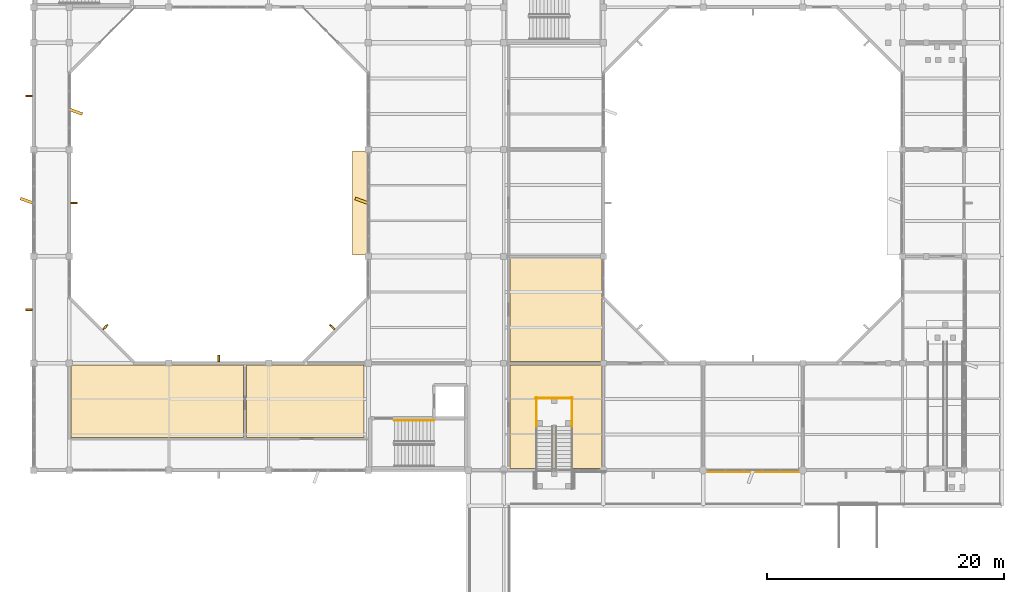
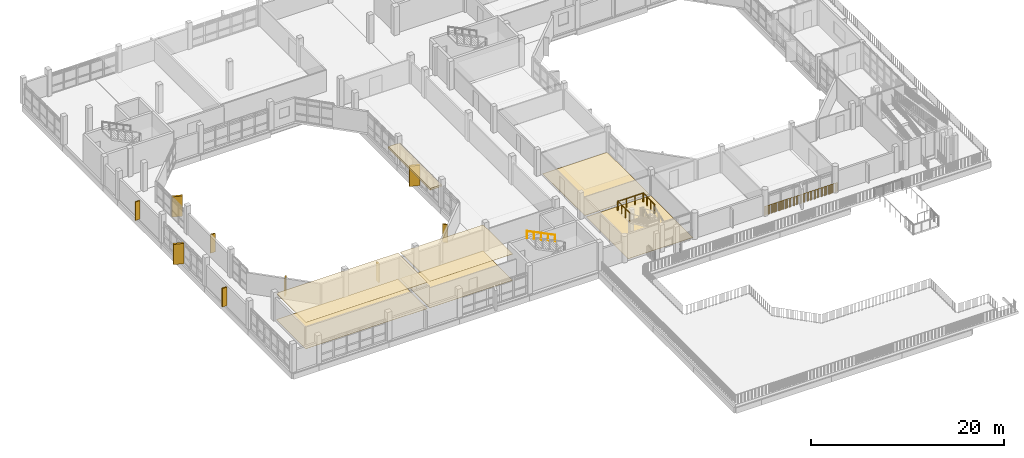
# One storey, part 41 of 51: 10 coverings, 6 shading devices, 5 railings.
"""IFC4 building model written with IfcOpenShell, lengths in metres."""

from ifc_helpers import new_model, si_unit, direction, frame, origin, origin_2d, place, context, subcontext, project, spatial, polyline, rectangle, circle, outline, extrude, material, layer, layer_set, type_object, element, save


model = new_model("IFC4")

# Units and contexts
model_context = context("Model", 3, precision=1e-05, world=origin(), true_north=direction((0.0, 1.0)))
body_context = subcontext(model_context, "Body", "Model", "MODEL_VIEW")
ifc_project = project(units=[si_unit("LENGTHUNIT", "METRE"), si_unit("AREAUNIT", "SQUARE_METRE"), si_unit("VOLUMEUNIT", "CUBIC_METRE"), si_unit("PLANEANGLEUNIT", "RADIAN"), si_unit("MASSUNIT", "GRAM", prefix="KILO")], contexts=[model_context])

# Site, building, storey
site_placement = place(None, origin())
site = spatial("IfcSite", under=ifc_project, at=site_placement, CompositionType="ELEMENT")
building_placement = place(site_placement, origin())
building = spatial("IfcBuilding", under=site, at=building_placement, Name="Vanh Quang Courtyard School", CompositionType="ELEMENT")
storey_placement = place(building_placement, frame((0.0, 0.0, 11.39990234375)))
storey = spatial("IfcBuildingStorey", under=building, at=storey_placement, Name="L03", CompositionType="ELEMENT", Elevation=11.39990234375)

# Coverings
ifc_material_1 = material(Name="Perforated mineral-fibre acoustic ceiling board")
ifc_layer_1 = layer(ifc_material_1, 0.02490234375)
ifc_layer_set_1 = layer_set([ifc_layer_1], Name="Perforated mineral-fibre acoustic ceiling board")
covering_type_1 = type_object("IfcCoveringType", Name="COV-CEIL-ACOUSTIC", PredefinedType="CEILING", material=ifc_layer_set_1)
covering_1_placement = place(storey_placement, frame((0.0, 0.0, 3.315185546875)))
element("IfcCovering", 1, at=covering_1_placement, inside=storey, type_object=covering_type_1, Name="Covering CV-CL1 (L03)", PredefinedType="CEILING", context=body_context, shape_type="SweptSolid", body=[
    extrude(outline(polyline([(55.469970703125, 35.159912109375), (55.469970703125, 35.158935546875), (55.4697265625, 35.157958984375), (55.469482421875, 35.156982421875), (55.46923828125, 35.15625), (55.46875, 35.1552734375), (55.46826171875, 35.154296875), (55.4677734375, 35.15380859375), (55.467041015625, 35.15283203125), (55.46630859375, 35.15234375), (55.465576171875, 35.151611328125), (55.464599609375, 35.151123046875), (55.4638671875, 35.15087890625), (55.462890625, 35.150390625), (55.4619140625, 35.150146484375), (55.4609375, 35.14990234375), (55.4599609375, 35.14990234375), (40.93994140625, 35.14990234375), (40.93896484375, 35.14990234375), (40.93798828125, 35.150146484375), (40.93701171875, 35.150390625), (40.936279296875, 35.15087890625), (40.935302734375, 35.151123046875), (40.934326171875, 35.151611328125), (40.93359375, 35.15234375), (40.932861328125, 35.15283203125), (40.932373046875, 35.15380859375), (40.931640625, 35.154296875), (40.93115234375, 35.1552734375), (40.930908203125, 35.15625), (40.930419921875, 35.156982421875), (40.93017578125, 35.157958984375), (40.929931640625, 35.158935546875), (40.929931640625, 35.159912109375), (40.929931640625, 41.260009765625), (40.929931640625, 41.260986328125), (40.93017578125, 41.261962890625), (40.930419921875, 41.262939453125), (40.930908203125, 41.263916015625), (40.93115234375, 41.2646484375), (40.931640625, 41.265625), (40.932373046875, 41.266357421875), (40.932861328125, 41.26708984375), (40.93359375, 41.267578125), (40.934326171875, 41.268310546875), (40.935302734375, 41.268798828125), (40.936279296875, 41.269287109375), (40.93701171875, 41.26953125), (40.93798828125, 41.269775390625), (40.93896484375, 41.27001953125), (40.93994140625, 41.27001953125), (55.4599609375, 41.27001953125), (55.4609375, 41.27001953125), (55.4619140625, 41.269775390625), (55.462890625, 41.26953125), (55.4638671875, 41.269287109375), (55.464599609375, 41.268798828125), (55.465576171875, 41.268310546875), (55.46630859375, 41.267578125), (55.467041015625, 41.26708984375), (55.4677734375, 41.266357421875), (55.46826171875, 41.265625), (55.46875, 41.2646484375), (55.46923828125, 41.263916015625), (55.469482421875, 41.262939453125), (55.4697265625, 41.261962890625), (55.469970703125, 41.260986328125), (55.469970703125, 41.260009765625), (55.469970703125, 35.159912109375)])), origin(), (0.0, 0.0, 1.0), 0.02490234375),
])
covering_2_placement = place(storey_placement, frame((0.0, 0.0, 3.315185546875)))
element("IfcCovering", 2, at=covering_2_placement, inside=storey, type_object=covering_type_1, Name="Covering CV-CL1 (L03)", PredefinedType="CEILING", context=body_context, shape_type="SweptSolid", body=[
    extrude(outline(polyline([(55.760009765625, 35.14990234375), (55.759033203125, 35.14990234375), (55.758056640625, 35.150146484375), (55.757080078125, 35.150390625), (55.756103515625, 35.15087890625), (55.75537109375, 35.151123046875), (55.75439453125, 35.151611328125), (55.753662109375, 35.15234375), (55.7529296875, 35.15283203125), (55.752197265625, 35.15380859375), (55.751708984375, 35.154296875), (55.751220703125, 35.1552734375), (55.750732421875, 35.15625), (55.75048828125, 35.156982421875), (55.750244140625, 35.157958984375), (55.75, 35.158935546875), (55.75, 35.159912109375), (55.75, 41.260009765625), (55.75, 41.260986328125), (55.750244140625, 41.261962890625), (55.75048828125, 41.262939453125), (55.750732421875, 41.263916015625), (55.751220703125, 41.2646484375), (55.751708984375, 41.265625), (55.752197265625, 41.266357421875), (55.7529296875, 41.26708984375), (55.753662109375, 41.267578125), (55.75439453125, 41.268310546875), (55.75537109375, 41.268798828125), (55.756103515625, 41.269287109375), (55.757080078125, 41.26953125), (55.758056640625, 41.269775390625), (55.759033203125, 41.27001953125), (55.760009765625, 41.27001953125), (65.64990234375, 41.27001953125), (65.64990234375, 35.14990234375), (55.760009765625, 35.14990234375)])), origin(), (0.0, 0.0, 1.0), 0.02490234375),
])
ifc_material_2 = material(Name="Polished cementitious terrazzo tile", Category="concrete")
ifc_layer_2 = layer(ifc_material_2, 0.02001953125)
ifc_layer_set_2 = layer_set([ifc_layer_2], Name="Polished cementitious terrazzo tile")
covering_type_2 = type_object("IfcCoveringType", Name="COV-FLR-TERRAZZO", PredefinedType="FLOORING", material=ifc_layer_set_2)
covering_3_placement = place(storey_placement, origin())
element("IfcCovering", 3, at=covering_3_placement, inside=storey, type_object=covering_type_2, Name="Covering CV-FL1 (L03)", PredefinedType="FLOORING", context=body_context, shape_type="SweptSolid", body=[
    extrude(outline(polyline([(55.469970703125, 35.159912109375), (55.469970703125, 35.158935546875), (55.4697265625, 35.157958984375), (55.469482421875, 35.156982421875), (55.46923828125, 35.15625), (55.46875, 35.1552734375), (55.46826171875, 35.154296875), (55.4677734375, 35.15380859375), (55.467041015625, 35.15283203125), (55.46630859375, 35.15234375), (55.465576171875, 35.151611328125), (55.464599609375, 35.151123046875), (55.4638671875, 35.15087890625), (55.462890625, 35.150390625), (55.4619140625, 35.150146484375), (55.4609375, 35.14990234375), (55.4599609375, 35.14990234375), (40.93994140625, 35.14990234375), (40.93896484375, 35.14990234375), (40.93798828125, 35.150146484375), (40.93701171875, 35.150390625), (40.936279296875, 35.15087890625), (40.935302734375, 35.151123046875), (40.934326171875, 35.151611328125), (40.93359375, 35.15234375), (40.932861328125, 35.15283203125), (40.932373046875, 35.15380859375), (40.931640625, 35.154296875), (40.93115234375, 35.1552734375), (40.930908203125, 35.15625), (40.930419921875, 35.156982421875), (40.93017578125, 35.157958984375), (40.929931640625, 35.158935546875), (40.929931640625, 35.159912109375), (40.929931640625, 41.260009765625), (40.929931640625, 41.260986328125), (40.93017578125, 41.261962890625), (40.930419921875, 41.262939453125), (40.930908203125, 41.263916015625), (40.93115234375, 41.2646484375), (40.931640625, 41.265625), (40.932373046875, 41.266357421875), (40.932861328125, 41.26708984375), (40.93359375, 41.267578125), (40.934326171875, 41.268310546875), (40.935302734375, 41.268798828125), (40.936279296875, 41.269287109375), (40.93701171875, 41.26953125), (40.93798828125, 41.269775390625), (40.93896484375, 41.27001953125), (40.93994140625, 41.27001953125), (55.4599609375, 41.27001953125), (55.4609375, 41.27001953125), (55.4619140625, 41.269775390625), (55.462890625, 41.26953125), (55.4638671875, 41.269287109375), (55.464599609375, 41.268798828125), (55.465576171875, 41.268310546875), (55.46630859375, 41.267578125), (55.467041015625, 41.26708984375), (55.4677734375, 41.266357421875), (55.46826171875, 41.265625), (55.46875, 41.2646484375), (55.46923828125, 41.263916015625), (55.469482421875, 41.262939453125), (55.4697265625, 41.261962890625), (55.469970703125, 41.260986328125), (55.469970703125, 41.260009765625), (55.469970703125, 35.159912109375)])), origin(), (0.0, 0.0, 1.0), 0.02001953125),
])
covering_4_placement = place(storey_placement, origin())
element("IfcCovering", 4, at=covering_4_placement, inside=storey, type_object=covering_type_2, Name="Covering CV-FL1 (L03)", PredefinedType="FLOORING", context=body_context, shape_type="SweptSolid", body=[
    extrude(outline(polyline([(55.760009765625, 35.14990234375), (55.759033203125, 35.14990234375), (55.758056640625, 35.150146484375), (55.757080078125, 35.150390625), (55.756103515625, 35.15087890625), (55.75537109375, 35.151123046875), (55.75439453125, 35.151611328125), (55.753662109375, 35.15234375), (55.7529296875, 35.15283203125), (55.752197265625, 35.15380859375), (55.751708984375, 35.154296875), (55.751220703125, 35.1552734375), (55.750732421875, 35.15625), (55.75048828125, 35.156982421875), (55.750244140625, 35.157958984375), (55.75, 35.158935546875), (55.75, 35.159912109375), (55.75, 41.260009765625), (55.75, 41.260986328125), (55.750244140625, 41.261962890625), (55.75048828125, 41.262939453125), (55.750732421875, 41.263916015625), (55.751220703125, 41.2646484375), (55.751708984375, 41.265625), (55.752197265625, 41.266357421875), (55.7529296875, 41.26708984375), (55.753662109375, 41.267578125), (55.75439453125, 41.268310546875), (55.75537109375, 41.268798828125), (55.756103515625, 41.269287109375), (55.757080078125, 41.26953125), (55.758056640625, 41.269775390625), (55.759033203125, 41.27001953125), (55.760009765625, 41.27001953125), (65.64990234375, 41.27001953125), (65.64990234375, 35.14990234375), (55.760009765625, 35.14990234375)])), origin(), (0.0, 0.0, 1.0), 0.02001953125),
])
covering_5_placement = place(storey_placement, origin())
element("IfcCovering", 5, at=covering_5_placement, inside=storey, type_object=covering_type_2, Name="Covering CV-FL1 (L03)", PredefinedType="FLOORING", context=body_context, shape_type="SweptSolid", body=[
    extrude(outline(polyline([(77.9599609375, 32.530029296875), (77.958984375, 32.530029296875), (77.9580078125, 32.5302734375), (77.95703125, 32.530517578125), (77.956298828125, 32.53076171875), (77.955322265625, 32.53125), (77.954345703125, 32.53173828125), (77.95361328125, 32.5322265625), (77.952880859375, 32.532958984375), (77.952392578125, 32.53369140625), (77.95166015625, 32.534423828125), (77.951171875, 32.535400390625), (77.95068359375, 32.5361328125), (77.950439453125, 32.537109375), (77.9501953125, 32.5380859375), (77.949951171875, 32.5390625), (77.949951171875, 32.5400390625), (77.949951171875, 41.260009765625), (77.949951171875, 41.260986328125), (77.9501953125, 41.261962890625), (77.950439453125, 41.262939453125), (77.95068359375, 41.263916015625), (77.951171875, 41.2646484375), (77.95166015625, 41.265625), (77.952392578125, 41.266357421875), (77.952880859375, 41.26708984375), (77.95361328125, 41.267578125), (77.954345703125, 41.268310546875), (77.955322265625, 41.268798828125), (77.956298828125, 41.269287109375), (77.95703125, 41.26953125), (77.9580078125, 41.269775390625), (77.958984375, 41.27001953125), (77.9599609375, 41.27001953125), (85.659912109375, 41.27001953125), (85.660888671875, 41.27001953125), (85.662109375, 41.269775390625), (85.662841796875, 41.26953125), (85.663818359375, 41.269287109375), (85.664794921875, 41.268798828125), (85.66552734375, 41.268310546875), (85.666259765625, 41.267578125), (85.6669921875, 41.26708984375), (85.667724609375, 41.266357421875), (85.668212890625, 41.265625), (85.668701171875, 41.2646484375), (85.669189453125, 41.263916015625), (85.669677734375, 41.262939453125), (85.669921875, 41.261962890625), (85.669921875, 41.260986328125), (85.669921875, 41.260009765625), (85.669921875, 32.5400390625), (85.669921875, 32.5390625), (85.669921875, 32.5380859375), (85.669677734375, 32.537109375), (85.669189453125, 32.5361328125), (85.668701171875, 32.535400390625), (85.668212890625, 32.534423828125), (85.667724609375, 32.53369140625), (85.6669921875, 32.532958984375), (85.666259765625, 32.5322265625), (85.66552734375, 32.53173828125), (85.664794921875, 32.53125), (85.663818359375, 32.53076171875), (85.662841796875, 32.530517578125), (85.662109375, 32.5302734375), (85.660888671875, 32.530029296875), (85.659912109375, 32.530029296875), (77.9599609375, 32.530029296875)])), origin(), (0.0, 0.0, 1.0), 0.02001953125),
])
covering_6_placement = place(storey_placement, origin())
element("IfcCovering", 6, at=covering_6_placement, inside=storey, type_object=covering_type_2, Name="Covering CV-FL1 (L03)", PredefinedType="FLOORING", context=body_context, shape_type="SweptSolid", body=[
    extrude(outline(polyline([(77.9599609375, 41.550048828125), (77.958984375, 41.550048828125), (77.9580078125, 41.55029296875), (77.95703125, 41.55029296875), (77.956298828125, 41.55078125), (77.955322265625, 41.55126953125), (77.954345703125, 41.5517578125), (77.95361328125, 41.55224609375), (77.952880859375, 41.552978515625), (77.952392578125, 41.5537109375), (77.95166015625, 41.554443359375), (77.951171875, 41.555419921875), (77.95068359375, 41.55615234375), (77.950439453125, 41.55712890625), (77.9501953125, 41.55810546875), (77.949951171875, 41.55908203125), (77.949951171875, 41.56005859375), (77.949951171875, 50.260009765625), (77.949951171875, 50.260986328125), (77.9501953125, 50.261962890625), (77.950439453125, 50.262939453125), (77.95068359375, 50.263916015625), (77.951171875, 50.2646484375), (77.95166015625, 50.265625), (77.952392578125, 50.266357421875), (77.952880859375, 50.26708984375), (77.95361328125, 50.267578125), (77.954345703125, 50.268310546875), (77.955322265625, 50.268798828125), (77.956298828125, 50.269287109375), (77.95703125, 50.26953125), (77.9580078125, 50.269775390625), (77.958984375, 50.27001953125), (77.9599609375, 50.27001953125), (85.659912109375, 50.27001953125), (85.660888671875, 50.27001953125), (85.662109375, 50.269775390625), (85.662841796875, 50.26953125), (85.663818359375, 50.269287109375), (85.664794921875, 50.268798828125), (85.66552734375, 50.268310546875), (85.666259765625, 50.267578125), (85.6669921875, 50.26708984375), (85.667724609375, 50.266357421875), (85.668212890625, 50.265625), (85.668701171875, 50.2646484375), (85.669189453125, 50.263916015625), (85.669677734375, 50.262939453125), (85.669921875, 50.261962890625), (85.669921875, 50.260986328125), (85.669921875, 50.260009765625), (85.669921875, 41.56005859375), (85.669921875, 41.55908203125), (85.669921875, 41.55810546875), (85.669677734375, 41.55712890625), (85.669189453125, 41.55615234375), (85.668701171875, 41.555419921875), (85.668212890625, 41.554443359375), (85.667724609375, 41.5537109375), (85.6669921875, 41.552978515625), (85.666259765625, 41.55224609375), (85.66552734375, 41.5517578125), (85.664794921875, 41.55126953125), (85.663818359375, 41.55078125), (85.662841796875, 41.55029296875), (85.662109375, 41.55029296875), (85.660888671875, 41.550048828125), (85.659912109375, 41.550048828125), (77.9599609375, 41.550048828125)])), origin(), (0.0, 0.0, 1.0), 0.02001953125),
])
ifc_material_3 = material(Name="Board-marked precast concrete C40/50", Category="concrete")
ifc_layer_3 = layer(ifc_material_3, 0.239990234375)
ifc_layer_set_3 = layer_set([ifc_layer_3], Name="Board-marked precast concrete C40/50")
covering_type_3 = type_object("IfcCoveringType", Name="COV-HOOD-CONC", PredefinedType="CLADDING", material=ifc_layer_set_3)
for number, where, z_axis, x_axis, name in (
    (7, (37.215087890625, 55.090087890625, 0.0), (0.0, 0.0, 1.0), (-0.94028812701, 0.340379550213, 0.0), "Covering CH-01 (L03)"),
    (8, (41.385009765625, 62.57958984375, 0.0), (0.0, 0.0, 1.0), (0.94028812701, -0.340379550213, 0.0), "Covering CH-01 (L03)"),
):
    element("IfcCovering", number, at=place(storey_placement, frame(where, z_axis=z_axis, x_axis=x_axis)), inside=storey, type_object=covering_type_3, Name=name, PredefinedType="CLADDING", context=body_context, shape_type="SweptSolid", body=[
        extrude(rectangle(XDim=1.11669921875, YDim=0.239990234375, at=origin_2d()), origin(), (0.0, 0.0, 1.0), 2.56005859375),
    ])
covering_7_placement = place(storey_placement, frame((65.3798828125, 54.89990234375, 2.39990234375), z_axis=(0.0, 0.0, 1.0), x_axis=(0.0, 1.0, 0.0)))
element("IfcCovering", 9, at=covering_7_placement, inside=storey, type_object=covering_type_3, Name="Covering CH-01 (L03)", PredefinedType="CLADDING", context=body_context, shape_type="SweptSolid", body=[
    extrude(rectangle(XDim=8.73388671875, YDim=1.39990234375, at=origin_2d()), origin(), (0.0, 0.0, 1.0), 0.239990234375),
])
covering_8_placement = place(storey_placement, frame((65.4150390625, 55.090087890625, 0.0), z_axis=(0.0, 0.0, 1.0), x_axis=(-0.94028812701, 0.340379550213, 0.0)))
element("IfcCovering", 10, at=covering_8_placement, inside=storey, type_object=covering_type_3, Name="Covering CH-01 (L03)", PredefinedType="CLADDING", context=body_context, shape_type="SweptSolid", body=[
    extrude(rectangle(XDim=1.11669921875, YDim=0.239990234375, at=origin_2d()), origin(), (0.0, 0.0, 1.0), 2.56005859375),
])

# Railings
ifc_material_4 = material(Name="Galvanised painted steel EN 10025-2 S355J2", Category="steel")
railing_type_1 = type_object("IfcRailingType", Name="RAIL-GUARD-1150", PredefinedType="BALUSTRADE", material=ifc_material_4)
railing_1_placement = place(storey_placement, frame((94.019775390625, 32.260009765625, 0.0)))
element("IfcRailing", 11, at=railing_1_placement, inside=storey, type_object=railing_type_1, Name="Railing GR-01 (L03)", PredefinedType="BALUSTRADE", context=body_context, shape_type="SweptSolid", body=[
    extrude(circle(Radius=0.02392578125, at=origin_2d()), frame((0.0, 0.0, 1.1259765625), z_axis=(1.0, 0.0, 0.0), x_axis=(0.0, 1.0, 0.0)), (0.0, 0.0, 1.0), 8.760498046875),
    extrude(circle(Radius=0.02099609375, at=origin_2d()), origin(), (0.0, 0.0, 1.0), 1.101806640625),
    extrude(circle(Radius=0.02099609375, at=origin_2d()), frame((0.13916015625, 0.0, 0.0)), (0.0, 0.0, 1.0), 1.101806640625),
    extrude(circle(Radius=0.02099609375, at=origin_2d()), frame((0.278076171875, 0.0, 0.0)), (0.0, 0.0, 1.0), 1.101806640625),
    extrude(circle(Radius=0.02099609375, at=origin_2d()), frame((0.417236328125, 0.0, 0.0)), (0.0, 0.0, 1.0), 1.101806640625),
    extrude(circle(Radius=0.02099609375, at=origin_2d()), frame((0.55615234375, 0.0, 0.0)), (0.0, 0.0, 1.0), 1.101806640625),
    extrude(circle(Radius=0.02099609375, at=origin_2d()), frame((0.6953125, 0.0, 0.0)), (0.0, 0.0, 1.0), 1.101806640625),
    extrude(circle(Radius=0.02099609375, at=origin_2d()), frame((0.834228515625, 0.0, 0.0)), (0.0, 0.0, 1.0), 1.101806640625),
    extrude(circle(Radius=0.02099609375, at=origin_2d()), frame((0.973388671875, 0.0, 0.0)), (0.0, 0.0, 1.0), 1.101806640625),
    extrude(circle(Radius=0.02099609375, at=origin_2d()), frame((1.112548828125, 0.0, 0.0)), (0.0, 0.0, 1.0), 1.101806640625),
    extrude(circle(Radius=0.02099609375, at=origin_2d()), frame((1.25146484375, 0.0, 0.0)), (0.0, 0.0, 1.0), 1.101806640625),
    extrude(circle(Radius=0.02099609375, at=origin_2d()), frame((1.390625, 0.0, 0.0)), (0.0, 0.0, 1.0), 1.101806640625),
    extrude(circle(Radius=0.02099609375, at=origin_2d()), frame((1.529541015625, 0.0, 0.0)), (0.0, 0.0, 1.0), 1.101806640625),
    extrude(circle(Radius=0.02099609375, at=origin_2d()), frame((1.668701171875, 0.0, 0.0)), (0.0, 0.0, 1.0), 1.101806640625),
    extrude(circle(Radius=0.02099609375, at=origin_2d()), frame((1.8076171875, 0.0, 0.0)), (0.0, 0.0, 1.0), 1.101806640625),
    extrude(circle(Radius=0.02099609375, at=origin_2d()), frame((1.94677734375, 0.0, 0.0)), (0.0, 0.0, 1.0), 1.101806640625),
    extrude(circle(Radius=0.02099609375, at=origin_2d()), frame((2.0859375, 0.0, 0.0)), (0.0, 0.0, 1.0), 1.101806640625),
    extrude(circle(Radius=0.02099609375, at=origin_2d()), frame((2.224853515625, 0.0, 0.0)), (0.0, 0.0, 1.0), 1.101806640625),
    extrude(circle(Radius=0.02099609375, at=origin_2d()), frame((2.364013671875, 0.0, 0.0)), (0.0, 0.0, 1.0), 1.101806640625),
    extrude(circle(Radius=0.02099609375, at=origin_2d()), frame((2.5029296875, 0.0, 0.0)), (0.0, 0.0, 1.0), 1.101806640625),
    extrude(circle(Radius=0.02099609375, at=origin_2d()), frame((2.64208984375, 0.0, 0.0)), (0.0, 0.0, 1.0), 1.101806640625),
    extrude(circle(Radius=0.02099609375, at=origin_2d()), frame((2.781005859375, 0.0, 0.0)), (0.0, 0.0, 1.0), 1.101806640625),
    extrude(circle(Radius=0.02099609375, at=origin_2d()), frame((2.920166015625, 0.0, 0.0)), (0.0, 0.0, 1.0), 1.101806640625),
    extrude(circle(Radius=0.02099609375, at=origin_2d()), frame((3.059326171875, 0.0, 0.0)), (0.0, 0.0, 1.0), 1.101806640625),
    extrude(circle(Radius=0.02099609375, at=origin_2d()), frame((3.1982421875, 0.0, 0.0)), (0.0, 0.0, 1.0), 1.101806640625),
    extrude(circle(Radius=0.02099609375, at=origin_2d()), frame((3.33740234375, 0.0, 0.0)), (0.0, 0.0, 1.0), 1.101806640625),
    extrude(circle(Radius=0.02099609375, at=origin_2d()), frame((3.476318359375, 0.0, 0.0)), (0.0, 0.0, 1.0), 1.101806640625),
    extrude(circle(Radius=0.02099609375, at=origin_2d()), frame((3.615478515625, 0.0, 0.0)), (0.0, 0.0, 1.0), 1.101806640625),
    extrude(circle(Radius=0.02099609375, at=origin_2d()), frame((3.75439453125, 0.0, 0.0)), (0.0, 0.0, 1.0), 1.101806640625),
    extrude(circle(Radius=0.02099609375, at=origin_2d()), frame((3.8935546875, 0.0, 0.0)), (0.0, 0.0, 1.0), 1.101806640625),
    extrude(circle(Radius=0.02099609375, at=origin_2d()), frame((4.03271484375, 0.0, 0.0)), (0.0, 0.0, 1.0), 1.101806640625),
    extrude(circle(Radius=0.02099609375, at=origin_2d()), frame((4.171630859375, 0.0, 0.0)), (0.0, 0.0, 1.0), 1.101806640625),
    extrude(circle(Radius=0.02099609375, at=origin_2d()), frame((4.310791015625, 0.0, 0.0)), (0.0, 0.0, 1.0), 1.101806640625),
    extrude(circle(Radius=0.02099609375, at=origin_2d()), frame((4.44970703125, 0.0, 0.0)), (0.0, 0.0, 1.0), 1.101806640625),
    extrude(circle(Radius=0.02099609375, at=origin_2d()), frame((4.5888671875, 0.0, 0.0)), (0.0, 0.0, 1.0), 1.101806640625),
    extrude(circle(Radius=0.02099609375, at=origin_2d()), frame((4.727783203125, 0.0, 0.0)), (0.0, 0.0, 1.0), 1.101806640625),
    extrude(circle(Radius=0.02099609375, at=origin_2d()), frame((4.866943359375, 0.0, 0.0)), (0.0, 0.0, 1.0), 1.101806640625),
    extrude(circle(Radius=0.02099609375, at=origin_2d()), frame((5.006103515625, 0.0, 0.0)), (0.0, 0.0, 1.0), 1.101806640625),
    extrude(circle(Radius=0.02099609375, at=origin_2d()), frame((5.14501953125, 0.0, 0.0)), (0.0, 0.0, 1.0), 1.101806640625),
    extrude(circle(Radius=0.02099609375, at=origin_2d()), frame((5.2841796875, 0.0, 0.0)), (0.0, 0.0, 1.0), 1.101806640625),
    extrude(circle(Radius=0.02099609375, at=origin_2d()), frame((5.423095703125, 0.0, 0.0)), (0.0, 0.0, 1.0), 1.101806640625),
    extrude(circle(Radius=0.02099609375, at=origin_2d()), frame((5.562255859375, 0.0, 0.0)), (0.0, 0.0, 1.0), 1.101806640625),
    extrude(circle(Radius=0.02099609375, at=origin_2d()), frame((5.701171875, 0.0, 0.0)), (0.0, 0.0, 1.0), 1.101806640625),
    extrude(circle(Radius=0.02099609375, at=origin_2d()), frame((5.84033203125, 0.0, 0.0)), (0.0, 0.0, 1.0), 1.101806640625),
    extrude(circle(Radius=0.02099609375, at=origin_2d()), frame((5.9794921875, 0.0, 0.0)), (0.0, 0.0, 1.0), 1.101806640625),
    extrude(circle(Radius=0.02099609375, at=origin_2d()), frame((6.118408203125, 0.0, 0.0)), (0.0, 0.0, 1.0), 1.101806640625),
    extrude(circle(Radius=0.02099609375, at=origin_2d()), frame((6.257568359375, 0.0, 0.0)), (0.0, 0.0, 1.0), 1.101806640625),
    extrude(circle(Radius=0.02099609375, at=origin_2d()), frame((6.396484375, 0.0, 0.0)), (0.0, 0.0, 1.0), 1.101806640625),
    extrude(circle(Radius=0.02099609375, at=origin_2d()), frame((6.53564453125, 0.0, 0.0)), (0.0, 0.0, 1.0), 1.101806640625),
    extrude(circle(Radius=0.02099609375, at=origin_2d()), frame((6.674560546875, 0.0, 0.0)), (0.0, 0.0, 1.0), 1.101806640625),
    extrude(circle(Radius=0.02099609375, at=origin_2d()), frame((6.813720703125, 0.0, 0.0)), (0.0, 0.0, 1.0), 1.101806640625),
    extrude(circle(Radius=0.02099609375, at=origin_2d()), frame((6.952880859375, 0.0, 0.0)), (0.0, 0.0, 1.0), 1.101806640625),
    extrude(circle(Radius=0.02099609375, at=origin_2d()), frame((7.091796875, 0.0, 0.0)), (0.0, 0.0, 1.0), 1.101806640625),
    extrude(circle(Radius=0.02099609375, at=origin_2d()), frame((7.23095703125, 0.0, 0.0)), (0.0, 0.0, 1.0), 1.101806640625),
    extrude(circle(Radius=0.02099609375, at=origin_2d()), frame((7.369873046875, 0.0, 0.0)), (0.0, 0.0, 1.0), 1.101806640625),
    extrude(circle(Radius=0.02099609375, at=origin_2d()), frame((7.509033203125, 0.0, 0.0)), (0.0, 0.0, 1.0), 1.101806640625),
    extrude(circle(Radius=0.02099609375, at=origin_2d()), frame((7.64794921875, 0.0, 0.0)), (0.0, 0.0, 1.0), 1.101806640625),
    extrude(circle(Radius=0.02099609375, at=origin_2d()), frame((7.787109375, 0.0, 0.0)), (0.0, 0.0, 1.0), 1.101806640625),
    extrude(circle(Radius=0.02099609375, at=origin_2d()), frame((7.92626953125, 0.0, 0.0)), (0.0, 0.0, 1.0), 1.101806640625),
    extrude(circle(Radius=0.02099609375, at=origin_2d()), frame((8.065185546875, 0.0, 0.0)), (0.0, 0.0, 1.0), 1.101806640625),
    extrude(circle(Radius=0.02099609375, at=origin_2d()), frame((8.204345703125, 0.0, 0.0)), (0.0, 0.0, 1.0), 1.101806640625),
    extrude(circle(Radius=0.02099609375, at=origin_2d()), frame((8.34326171875, 0.0, 0.0)), (0.0, 0.0, 1.0), 1.101806640625),
    extrude(circle(Radius=0.02099609375, at=origin_2d()), frame((8.482421875, 0.0, 0.0)), (0.0, 0.0, 1.0), 1.101806640625),
    extrude(circle(Radius=0.02099609375, at=origin_2d()), frame((8.621337890625, 0.0, 0.0)), (0.0, 0.0, 1.0), 1.101806640625),
    extrude(circle(Radius=0.02099609375, at=origin_2d()), frame((8.760498046875, 0.0, 0.0)), (0.0, 0.0, 1.0), 1.101806640625),
])
for number, where, name in (
    (12, (83.14990234375, 36.090087890625, 1.800048828125), "L03 ST-T4 stair guard 3"),
    (13, (80.14990234375, 36.090087890625, 1.800048828125), "L03 ST-T4 stair guard 4"),
):
    element("IfcRailing", number, at=place(storey_placement, frame(where)), inside=storey, type_object=railing_type_1, Name=name, PredefinedType="BALUSTRADE", context=body_context, shape_type="SweptSolid", body=[
        extrude(circle(Radius=0.02392578125, at=origin_2d()), frame((0.0, 0.0, 1.1259765625), z_axis=(0.0, 1.0, 0.0), x_axis=(-1.0, 0.0, 0.0)), (0.0, 0.0, 1.0), 2.409912109375),
        extrude(circle(Radius=0.02099609375, at=origin_2d()), origin(), (0.0, 0.0, 1.0), 1.101806640625),
        extrude(circle(Radius=0.02099609375, at=origin_2d()), frame((0.0, 0.80322265625, 0.0)), (0.0, 0.0, 1.0), 1.101806640625),
        extrude(circle(Radius=0.02099609375, at=origin_2d()), frame((0.0, 1.606689453125, 0.0)), (0.0, 0.0, 1.0), 1.101806640625),
        extrude(circle(Radius=0.02099609375, at=origin_2d()), frame((0.0, 2.409912109375, 0.0)), (0.0, 0.0, 1.0), 1.101806640625),
    ])
railing_2_placement = place(storey_placement, frame((83.199951171875, 38.449951171875, 1.800048828125)))
element("IfcRailing", 14, at=railing_2_placement, inside=storey, type_object=railing_type_1, Name="L03 ST-T4 stair guard 5", PredefinedType="BALUSTRADE", context=body_context, shape_type="SweptSolid", body=[
    extrude(circle(Radius=0.02392578125, at=origin_2d()), frame((0.0, 0.0, 1.1259765625), z_axis=(-1.0, 0.0, 0.0), x_axis=(0.0, -1.0, 0.0)), (0.0, 0.0, 1.0), 3.099853515625),
    extrude(circle(Radius=0.02099609375, at=origin_2d()), origin(), (0.0, 0.0, 1.0), 1.101806640625),
    extrude(circle(Radius=0.02099609375, at=origin_2d()), frame((-1.033203125, 0.0, 0.0)), (0.0, 0.0, 1.0), 1.101806640625),
    extrude(circle(Radius=0.02099609375, at=origin_2d()), frame((-2.066650390625, 0.0, 0.0)), (0.0, 0.0, 1.0), 1.101806640625),
    extrude(circle(Radius=0.02099609375, at=origin_2d()), frame((-3.099853515625, 0.0, 0.0)), (0.0, 0.0, 1.0), 1.101806640625),
])
ifc_material_5 = material(Name="Brushed stainless steel", Category="steel")
railing_type_2 = type_object("IfcRailingType", Name="RAIL-HAND-900", PredefinedType="HANDRAIL", material=ifc_material_5)
railing_3_placement = place(storey_placement, frame((71.534912109375, 36.590087890625, 1.9501953125)))
element("IfcRailing", 15, at=railing_3_placement, inside=storey, type_object=railing_type_2, Name="L03 ST-04 stair handrail 2", PredefinedType="HANDRAIL", context=body_context, shape_type="SweptSolid", body=[
    extrude(circle(Radius=0.02392578125, at=origin_2d()), frame((0.0, 0.0, 0.8759765625), z_axis=(-0.897359292542, 0.0, 0.441300691239), x_axis=(0.0, -1.0, 0.0)), (0.0, 0.0, 1.0), 3.73876953125),
    extrude(circle(Radius=0.02099609375, at=origin_2d()), origin(), (0.0, 0.0, 1.0), 0.851806640625),
    extrude(circle(Radius=0.02099609375, at=origin_2d()), frame((-0.8388671875, 0.0, 0.41259765625)), (0.0, 0.0, 1.0), 0.851806640625),
    extrude(circle(Radius=0.02099609375, at=origin_2d()), frame((-1.677490234375, 0.0, 0.824951171875)), (0.0, 0.0, 1.0), 0.851806640625),
    extrude(circle(Radius=0.02099609375, at=origin_2d()), frame((-2.51611328125, 0.0, 1.2373046875)), (0.0, 0.0, 1.0), 0.851806640625),
    extrude(circle(Radius=0.02099609375, at=origin_2d()), frame((-3.35498046875, 0.0, 1.64990234375)), (0.0, 0.0, 1.0), 0.851806640625),
])

# Shading devices
shading_device_type = type_object("IfcShadingDeviceType", Name="SHD-FIN-CONCRETE", PredefinedType="USERDEFINED", material=ifc_material_3)
for number, where, z_axis, x_axis, name in (
    (16, (37.405029296875, 45.89990234375, 0.14990234375), (0.0, 0.0, 1.0), (0.0, 1.0, 0.0), "Solar Shading SH-02 (L03)"),
    (17, (37.405029296875, 63.89990234375, 0.14990234375), (0.0, 0.0, 1.0), (0.0, 1.0, 0.0), "Solar Shading SH-02 (L03)"),
    (18, (41.195068359375, 54.89990234375, 0.14990234375), (0.0, 0.0, 1.0), (0.0, -1.0, 0.0), "Solar Shading SH-02 (L03)"),
):
    element("IfcShadingDevice", number, at=place(storey_placement, frame(where, z_axis=z_axis, x_axis=x_axis)), inside=storey, type_object=shading_device_type, Name=name, ObjectType="Solar Shading SH-02 (L03)", PredefinedType="USERDEFINED", context=body_context, shape_type="SweptSolid", body=[
        extrude(rectangle(XDim=0.139892578125, YDim=0.550048828125, at=origin_2d()), origin(), (0.0, 0.0, 1.0), 2.340087890625),
    ])
shading_device_1_placement = place(storey_placement, frame((43.851318359375, 44.451416015625, 0.150146484375), z_axis=(0.0, 0.0, 1.0), x_axis=(0.707106781187, -0.707106781187, 0.0)))
element("IfcShadingDevice", 19, at=shading_device_1_placement, inside=storey, type_object=shading_device_type, Name="Solar Shading SH-02 (L03)", ObjectType="Solar Shading SH-02 (L03)", PredefinedType="USERDEFINED", context=body_context, shape_type="SweptSolid", body=[
    extrude(rectangle(XDim=0.139892578125, YDim=0.550048828125, at=origin_2d()), origin(), (0.0, 0.0, 1.0), 2.2900390625),
])
shading_device_2_placement = place(storey_placement, frame((53.39990234375, 41.794921875, 0.14990234375), z_axis=(0.0, 0.0, 1.0), x_axis=(1.0, 0.0, 0.0)))
element("IfcShadingDevice", 20, at=shading_device_2_placement, inside=storey, type_object=shading_device_type, Name="Solar Shading SH-02 (L03)", ObjectType="Solar Shading SH-02 (L03)", PredefinedType="USERDEFINED", context=body_context, shape_type="SweptSolid", body=[
    extrude(rectangle(XDim=0.139892578125, YDim=0.550048828125, at=origin_2d()), origin(), (0.0, 0.0, 1.0), 2.340087890625),
])
shading_device_3_placement = place(storey_placement, frame((62.94873046875, 44.451416015625, 0.150146484375), z_axis=(0.0, 0.0, 1.0), x_axis=(0.707106781187, 0.707106781187, 0.0)))
element("IfcShadingDevice", 21, at=shading_device_3_placement, inside=storey, type_object=shading_device_type, Name="Solar Shading SH-02 (L03)", ObjectType="Solar Shading SH-02 (L03)", PredefinedType="USERDEFINED", context=body_context, shape_type="SweptSolid", body=[
    extrude(rectangle(XDim=0.139892578125, YDim=0.550048828125, at=origin_2d()), origin(), (0.0, 0.0, 1.0), 2.2900390625),
])

save(model, "model.ifc")
